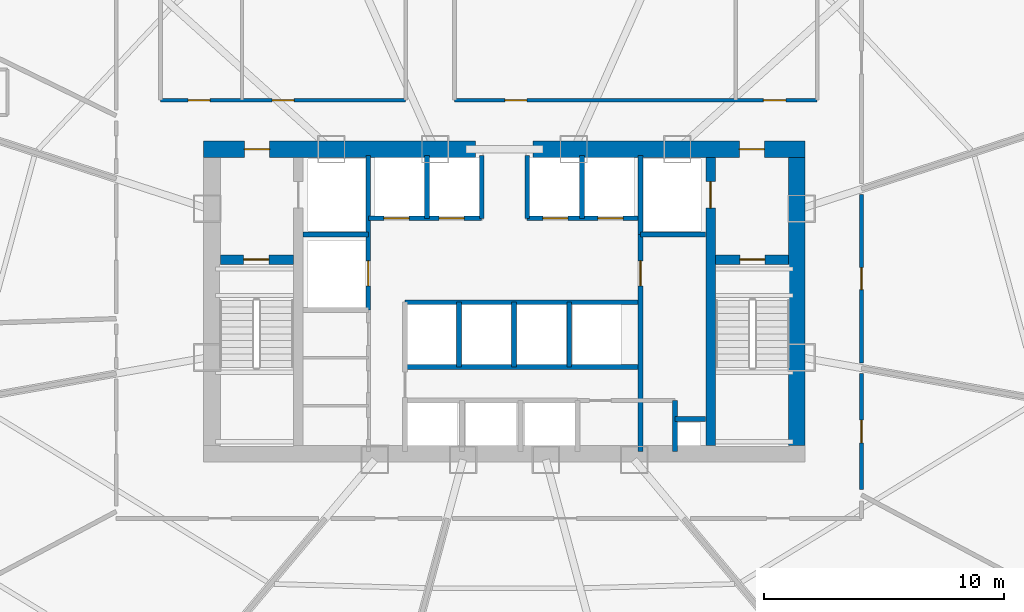
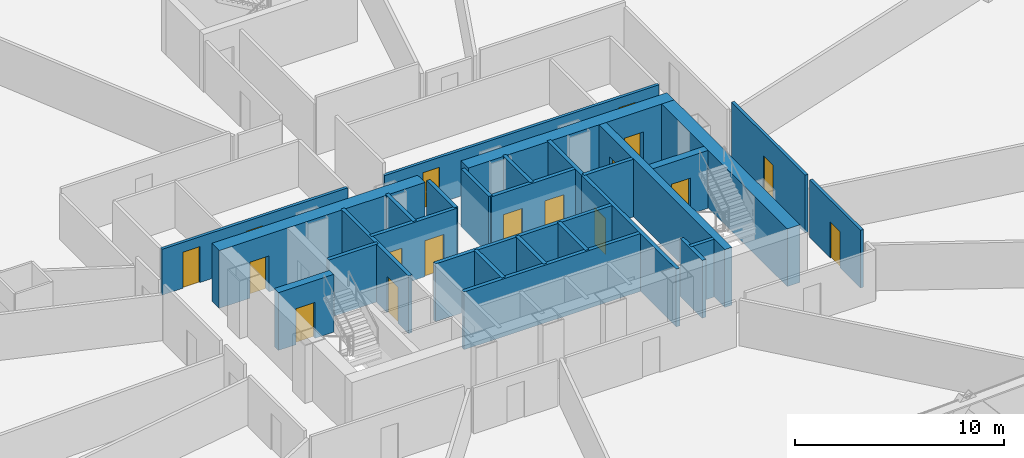
# One storey, part 30 of 37: 28 walls, 17 doors, 17 openings.
"""IFC4 building model written with IfcOpenShell, lengths in metres."""

from ifc_helpers import new_model, si_unit, direction, frame, frame_2d, origin, origin_with_axes, place, context, subcontext, project, spatial, rectangle, extrude, source, transform, mapped, material, layer, layer_set, type_object, element, fill, save


model = new_model("IFC4")

# Units and contexts
model_context = context("Model", 3, precision=1e-05, world=origin(), true_north=direction((0.0, 1.0)))
body_context = subcontext(model_context, "Body", "Model", "MODEL_VIEW")
ifc_project = project(units=[si_unit("LENGTHUNIT", "METRE"), si_unit("AREAUNIT", "SQUARE_METRE"), si_unit("VOLUMEUNIT", "CUBIC_METRE"), si_unit("PLANEANGLEUNIT", "RADIAN"), si_unit("MASSUNIT", "GRAM", prefix="KILO"), si_unit("THERMODYNAMICTEMPERATUREUNIT", "KELVIN"), si_unit("POWERUNIT", "WATT")], contexts=[model_context])

# Site, building, storey
site_placement = place(None, origin())
site = spatial("IfcSite", under=ifc_project, at=site_placement, CompositionType="ELEMENT")
building_placement = place(site_placement, origin())
building = spatial("IfcBuilding", under=site, at=building_placement, Name="Yunzhuo Pagoda Commons", CompositionType="ELEMENT")
storey_placement = place(building_placement, frame((0.0, 0.0, 52.179931640625)))
storey = spatial("IfcBuildingStorey", under=building, at=storey_placement, Name="L13", CompositionType="ELEMENT", Elevation=52.179931640625)

# Wall, opening, door
ifc_material_1 = material(Name="Concrete C60", Category="concrete")
ifc_layer_1 = layer(ifc_material_1, 0.699951171875)
ifc_layer_set_1 = layer_set([ifc_layer_1], Name="Concrete C60")
wall_type_1 = type_object("IfcWallType", Name="W-C01 Lower Core Shear Wall 700", PredefinedType="SHEAR", material=ifc_layer_set_1)
wall_1_placement = place(storey_placement, frame((35.449951171875, 40.199951171875, 0.0), z_axis=(0.0, 0.0, 1.0), x_axis=(1.0, 0.0, 0.0)))
wall_1 = element("IfcWall", 1, at=wall_1_placement, inside=storey, type_object=wall_type_1, Name="L13 core shear wall NW", PredefinedType="SHEAR", context=body_context, shape_type="SweptSolid", body=[
    extrude(rectangle(XDim=11.35009765625, YDim=0.699951171875, at=frame_2d((5.675048828125, 0.0))), origin(), (0.0, 0.0, 1.0), 3.3701171875),
])
opening_1_placement = place(wall_1_placement, frame((1.699951171875, 0.0, 0.0)))
opening_1 = element("IfcOpeningElement", 2, at=opening_1_placement, cuts=wall_1, Name="Opening D-02", PredefinedType="OPENING", context=body_context, shape_type="SweptSolid", body=[
    extrude(rectangle(XDim=1.050048828125, YDim=2.10009765625, at=frame_2d((0.52490234375, 1.050048828125))), frame((0.0, 0.35986328125, 0.0), z_axis=(0.0, -1.0, 0.0), x_axis=(1.0, 0.0, 0.0)), (0.0, 0.0, 1.0), 0.719970703125),
])
ifc_material_2 = material(Name="Galvanized fire-resisting metal leaf")
door_type_1 = type_object("IfcDoorType", Name="D-02 Firefighting Lobby & Refuge Fire Door 1050x2100", OperationType="NOTDEFINED", PredefinedType="DOOR", material=ifc_material_2)
shared_shape_1 = source(origin(), body_context, "Body", "SweptSolid", [
    extrude(rectangle(XDim=1.050048828125, YDim=2.10009765625, at=frame_2d((0.52490234375, 1.050048828125))), frame((0.0, 0.02490234375, 0.0), z_axis=(0.0, -1.0, 0.0), x_axis=(1.0, 0.0, 0.0)), (0.0, 0.0, 1.0), 0.050048828125),
])
door_1_placement = place(opening_1_placement, frame((1.050048828125, 0.0, 0.0), z_axis=(0.0, 0.0, 1.0), x_axis=(-1.0, 0.0, 0.0)))
door_1 = element("IfcDoor", 3, at=door_1_placement, inside=storey, type_object=door_type_1, Name="L13 Firefighting Lobby 1 fire door", OperationType="SINGLE_SWING_LEFT", OverallHeight=2.10009765625, OverallWidth=1.050048828125, PredefinedType="DOOR", context=body_context, shape_type="MappedRepresentation", body=[
    mapped(shared_shape_1, transform((0.0, 0.0, 0.0), scale=1.0)),
])
fill(opening_1, door_1)

wall_2_placement = place(storey_placement, frame((49.199951171875, 40.199951171875, 0.0), z_axis=(0.0, 0.0, 1.0), x_axis=(1.0, 0.0, 0.0)))
wall_2 = element("IfcWall", 4, at=wall_2_placement, inside=storey, type_object=wall_type_1, Name="L13 core shear wall NE", PredefinedType="SHEAR", context=body_context, shape_type="SweptSolid", body=[
    extrude(rectangle(XDim=11.35009765625, YDim=0.699951171875, at=frame_2d((5.675048828125, 0.0))), origin(), (0.0, 0.0, 1.0), 3.3701171875),
])
opening_2_placement = place(wall_2_placement, frame((8.60009765625, 0.0, 0.0)))
opening_2 = element("IfcOpeningElement", 5, at=opening_2_placement, cuts=wall_2, Name="Opening D-02", PredefinedType="OPENING", context=body_context, shape_type="SweptSolid", body=[
    extrude(rectangle(XDim=1.050048828125, YDim=2.10009765625, at=frame_2d((0.52490234375, 1.050048828125))), frame((0.0, 0.35986328125, 0.0), z_axis=(0.0, -1.0, 0.0), x_axis=(1.0, 0.0, 0.0)), (0.0, 0.0, 1.0), 0.719970703125),
])
door_2_placement = place(opening_2_placement, frame((1.050048828125, 0.0, 0.0), z_axis=(0.0, 0.0, 1.0), x_axis=(-1.0, 0.0, 0.0)))
door_2 = element("IfcDoor", 6, at=door_2_placement, inside=storey, type_object=door_type_1, Name="L13 Firefighting Lobby 2 fire door", OperationType="SINGLE_SWING_RIGHT", OverallHeight=2.10009765625, OverallWidth=1.050048828125, PredefinedType="DOOR", context=body_context, shape_type="MappedRepresentation", body=[
    mapped(shared_shape_1, transform((0.0, 0.0, 0.0), scale=1.0)),
])
fill(opening_2, door_2)

# Wall
wall_3_placement = place(storey_placement, frame((60.199951171875, 27.85009765625, 0.0), z_axis=(0.0, 0.0, 1.0), x_axis=(0.0, 1.0, 0.0)))
element("IfcWall", 7, at=wall_3_placement, inside=storey, type_object=wall_type_1, Name="L13 core shear wall E", PredefinedType="SHEAR", context=body_context, shape_type="SweptSolid", body=[
    extrude(rectangle(XDim=12.0, YDim=0.699951171875, at=frame_2d((6.0, 0.0))), origin(), (0.0, 0.0, 1.0), 3.3701171875),
])

# Wall, openings, doors
ifc_material_3 = material(Name="Gypsum plasterboard on acoustic stud")
ifc_layer_2 = layer(ifc_material_3, 0.159912109375)
ifc_layer_set_2 = layer_set([ifc_layer_2], Name="Gypsum plasterboard on acoustic stud")
wall_type_2 = type_object("IfcWallType", Name="W-COR1 Tower Rated Corridor Wall 160", PredefinedType="PARTITIONING", material=ifc_layer_set_2)
wall_4_placement = place(storey_placement, frame((33.64990234375, 42.25, 0.0), z_axis=(0.0, 0.0, 1.0), x_axis=(1.0, 0.0, 0.0)))
wall_4 = element("IfcWall", 8, at=wall_4_placement, inside=storey, type_object=wall_type_2, Name="L13 interior wall IW-L13-ISLWS", PredefinedType="PARTITIONING", context=body_context, shape_type="SweptSolid", body=[
    extrude(rectangle(XDim=10.22998046875, YDim=0.159912109375, at=frame_2d((5.114990234375, 0.0))), origin(), (0.0, 0.0, 1.0), 2.670166015625),
])
opening_3_placement = place(wall_4_placement, frame((1.14990234375, 0.0, 0.0)))
opening_3 = element("IfcOpeningElement", 9, at=opening_3_placement, cuts=wall_4, Name="Opening D-04", PredefinedType="OPENING", context=body_context, shape_type="SweptSolid", body=[
    extrude(rectangle(XDim=0.919921875, YDim=2.10009765625, at=frame_2d((0.4599609375, 1.050048828125))), frame((0.0, 0.08984375, 0.0), z_axis=(0.0, -1.0, 0.0), x_axis=(1.0, 0.0, 0.0)), (0.0, 0.0, 1.0), 0.179931640625),
])
opening_4_placement = place(wall_4_placement, frame((4.64990234375, 0.0, 0.0)))
opening_4 = element("IfcOpeningElement", 10, at=opening_4_placement, cuts=wall_4, Name="Opening D-04", PredefinedType="OPENING", context=body_context, shape_type="SweptSolid", body=[
    extrude(rectangle(XDim=0.919921875, YDim=2.10009765625, at=frame_2d((0.4599609375, 1.050048828125))), frame((0.0, 0.08984375, 0.0), z_axis=(0.0, -1.0, 0.0), x_axis=(1.0, 0.0, 0.0)), (0.0, 0.0, 1.0), 0.179931640625),
])
ifc_material_4 = material(Name="Powder-coated aluminium and timber acoustic leaf", Category="wood")
door_type_2 = type_object("IfcDoorType", Name="D-04 Bedroom & Study Interior Door 920x2100", OperationType="NOTDEFINED", PredefinedType="DOOR", material=ifc_material_4)
shared_shape_2 = source(origin(), body_context, "Body", "SweptSolid", [
    extrude(rectangle(XDim=0.919921875, YDim=2.10009765625, at=frame_2d((0.4599609375, 1.050048828125))), frame((0.0, 0.02490234375, 0.0), z_axis=(0.0, -1.0, 0.0), x_axis=(1.0, 0.0, 0.0)), (0.0, 0.0, 1.0), 0.050048828125),
])
door_3_placement = place(opening_3_placement, frame((0.919921875, 0.0, 0.0), z_axis=(0.0, 0.0, 1.0), x_axis=(-1.0, 0.0, 0.0)))
door_3 = element("IfcDoor", 11, at=door_3_placement, inside=storey, type_object=door_type_2, Name="L13 laundry door", OperationType="SINGLE_SWING_LEFT", OverallHeight=2.10009765625, OverallWidth=0.919921875, PredefinedType="DOOR", context=body_context, shape_type="MappedRepresentation", body=[
    mapped(shared_shape_2, transform((0.0, 0.0, 0.0), scale=1.0)),
])
fill(opening_3, door_3)
door_4_placement = place(opening_4_placement, frame((0.919921875, 0.0, 0.0), z_axis=(0.0, 0.0, 1.0), x_axis=(-1.0, 0.0, 0.0)))
door_4 = element("IfcDoor", 12, at=door_4_placement, inside=storey, type_object=door_type_2, Name="L13 study commons W door", OperationType="SINGLE_SWING_RIGHT", OverallHeight=2.10009765625, OverallWidth=0.919921875, PredefinedType="DOOR", context=body_context, shape_type="MappedRepresentation", body=[
    mapped(shared_shape_2, transform((0.0, 0.0, 0.0), scale=1.0)),
])
fill(opening_4, door_4)

wall_5_placement = place(storey_placement, frame((45.919921875, 42.25, 0.0), z_axis=(0.0, 0.0, 1.0), x_axis=(1.0, 0.0, 0.0)))
wall_5 = element("IfcWall", 13, at=wall_5_placement, inside=storey, type_object=wall_type_2, Name="L13 interior wall IW-L13-ISLES", PredefinedType="PARTITIONING", context=body_context, shape_type="SweptSolid", body=[
    extrude(rectangle(XDim=15.130126953125, YDim=0.159912109375, at=frame_2d((7.56494140625, 0.0))), origin(), (0.0, 0.0, 1.0), 2.670166015625),
])
opening_5_placement = place(wall_5_placement, frame((2.10009765625, 0.0, 0.0)))
opening_5 = element("IfcOpeningElement", 14, at=opening_5_placement, cuts=wall_5, Name="Opening D-04", PredefinedType="OPENING", context=body_context, shape_type="SweptSolid", body=[
    extrude(rectangle(XDim=0.919921875, YDim=2.10009765625, at=frame_2d((0.4599609375, 1.050048828125))), frame((0.0, 0.08984375, 0.0), z_axis=(0.0, -1.0, 0.0), x_axis=(1.0, 0.0, 0.0)), (0.0, 0.0, 1.0), 0.179931640625),
])
opening_6_placement = place(wall_5_placement, frame((12.8798828125, 0.0, 0.0)))
opening_6 = element("IfcOpeningElement", 15, at=opening_6_placement, cuts=wall_5, Name="Opening D-11", PredefinedType="OPENING", context=body_context, shape_type="SweptSolid", body=[
    extrude(rectangle(XDim=0.93994140625, YDim=2.10009765625, at=frame_2d((0.469970703125, 1.050048828125))), frame((0.0, 0.08984375, 0.0), z_axis=(0.0, -1.0, 0.0), x_axis=(1.0, 0.0, 0.0)), (0.0, 0.0, 1.0), 0.179931640625),
])
door_type_3 = type_object("IfcDoorType", Name="D-11 Accessible Washroom Fire Door 940x2100", OperationType="NOTDEFINED", PredefinedType="DOOR", material=ifc_material_2)
shared_shape_3 = source(origin(), body_context, "Body", "SweptSolid", [
    extrude(rectangle(XDim=0.93994140625, YDim=2.10009765625, at=frame_2d((0.469970703125, 1.050048828125))), frame((0.0, 0.02490234375, 0.0), z_axis=(0.0, -1.0, 0.0), x_axis=(1.0, 0.0, 0.0)), (0.0, 0.0, 1.0), 0.050048828125),
])
door_5_placement = place(opening_6_placement, frame((0.93994140625, 0.0, 0.0), z_axis=(0.0, 0.0, 1.0), x_axis=(-1.0, 0.0, 0.0)))
door_5 = element("IfcDoor", 16, at=door_5_placement, inside=storey, type_object=door_type_3, Name="L13 accessible WC door", OperationType="SINGLE_SWING_RIGHT", OverallHeight=2.10009765625, OverallWidth=0.93994140625, PredefinedType="DOOR", context=body_context, shape_type="MappedRepresentation", body=[
    mapped(shared_shape_3, transform((0.0, 0.0, 0.0), scale=1.0)),
])
fill(opening_6, door_5)
door_6_placement = place(opening_5_placement, frame((0.919921875, 0.0, 0.0), z_axis=(0.0, 0.0, 1.0), x_axis=(-1.0, 0.0, 0.0)))
door_6 = element("IfcDoor", 17, at=door_6_placement, inside=storey, type_object=door_type_2, Name="L13 reading commons door", OperationType="SINGLE_SWING_LEFT", OverallHeight=2.10009765625, OverallWidth=0.919921875, PredefinedType="DOOR", context=body_context, shape_type="MappedRepresentation", body=[
    mapped(shared_shape_2, transform((0.0, 0.0, 0.0), scale=1.0)),
])
fill(opening_5, door_6)

# Wall, opening, door
wall_6_placement = place(storey_placement, frame((62.89990234375, 38.321533203125, 0.0), z_axis=(0.0, 0.0, 1.0), x_axis=(0.0, -1.0, 0.0)))
wall_6 = element("IfcWall", 18, at=wall_6_placement, inside=storey, type_object=wall_type_2, Name="L13 interior wall IW-L13-CWL14", PredefinedType="PARTITIONING", context=body_context, shape_type="SweptSolid", body=[
    extrude(rectangle(XDim=7.029052734375, YDim=0.159912109375, at=frame_2d((3.5146484375, 0.0))), origin(), (0.0, 0.0, 1.0), 3.3701171875),
])
opening_7_placement = place(wall_6_placement, frame((3.054443359375, 0.0, 0.0)))
opening_7 = element("IfcOpeningElement", 19, at=opening_7_placement, cuts=wall_6, Name="Opening D-04", PredefinedType="OPENING", context=body_context, shape_type="SweptSolid", body=[
    extrude(rectangle(XDim=0.919921875, YDim=2.10009765625, at=frame_2d((0.4599609375, 1.050048828125))), frame((0.0, 0.08984375, 0.0), z_axis=(0.0, -1.0, 0.0), x_axis=(1.0, 0.0, 0.0)), (0.0, 0.0, 1.0), 0.179931640625),
])
door_7_placement = place(opening_7_placement, origin_with_axes())
door_7 = element("IfcDoor", 20, at=door_7_placement, inside=storey, type_object=door_type_2, Name="L13 seminar room 01 door", OperationType="SINGLE_SWING_LEFT", OverallHeight=2.10009765625, OverallWidth=0.919921875, PredefinedType="DOOR", context=body_context, shape_type="MappedRepresentation", body=[
    mapped(shared_shape_2, transform((0.0, 0.0, 0.0), scale=1.0)),
])
fill(opening_7, door_7)

wall_7_placement = place(storey_placement, frame((62.89990234375, 30.849365234375, 0.0), z_axis=(0.0, 0.0, 1.0), x_axis=(0.0, -1.0, 0.0)))
wall_7 = element("IfcWall", 21, at=wall_7_placement, inside=storey, type_object=wall_type_2, Name="L13 interior wall IW-L13-CWL15", PredefinedType="PARTITIONING", context=body_context, shape_type="SweptSolid", body=[
    extrude(rectangle(XDim=4.851806640625, YDim=0.159912109375, at=frame_2d((2.42578125, 0.0))), origin(), (0.0, 0.0, 1.0), 3.3701171875),
])
opening_8_placement = place(wall_7_placement, frame((1.94921875, 0.0, 0.0)))
opening_8 = element("IfcOpeningElement", 22, at=opening_8_placement, cuts=wall_7, Name="Opening D-06", PredefinedType="OPENING", context=body_context, shape_type="SweptSolid", body=[
    extrude(rectangle(XDim=0.949951171875, YDim=2.10009765625, at=frame_2d((0.47509765625, 1.050048828125))), frame((0.0, 0.08984375, 0.0), z_axis=(0.0, -1.0, 0.0), x_axis=(1.0, 0.0, 0.0)), (0.0, 0.0, 1.0), 0.179931640625),
])
door_type_4 = type_object("IfcDoorType", Name="D-06 Co-Living Suite Entrance Fire Door 950x2100", OperationType="NOTDEFINED", PredefinedType="DOOR", material=ifc_material_2)
shared_shape_4 = source(origin(), body_context, "Body", "SweptSolid", [
    extrude(rectangle(XDim=0.949951171875, YDim=2.10009765625, at=frame_2d((0.47509765625, 1.050048828125))), frame((0.0, 0.02490234375, 0.0), z_axis=(0.0, -1.0, 0.0), x_axis=(1.0, 0.0, 0.0)), (0.0, 0.0, 1.0), 0.050048828125),
])
door_8_placement = place(opening_8_placement, origin_with_axes())
door_8 = element("IfcDoor", 23, at=door_8_placement, inside=storey, type_object=door_type_4, Name="L13 unit 14 entrance door", OperationType="SINGLE_SWING_RIGHT", OverallHeight=2.10009765625, OverallWidth=0.949951171875, PredefinedType="DOOR", context=body_context, shape_type="MappedRepresentation", body=[
    mapped(shared_shape_4, transform((0.0, 0.0, 0.0), scale=1.0)),
])
fill(opening_8, door_8)

ifc_layer_3 = layer(ifc_material_1, 0.39990234375)
ifc_layer_set_3 = layer_set([ifc_layer_3], Name="Concrete C60")
wall_type_3 = type_object("IfcWallType", Name="W-S01 Internal Core Shear Web 400", PredefinedType="SHEAR", material=ifc_layer_set_3)
wall_8_placement = place(storey_placement, frame((56.60009765625, 27.85009765625, 0.0), z_axis=(0.0, 0.0, 1.0), x_axis=(0.0, 1.0, 0.0)))
wall_8 = element("IfcWall", 24, at=wall_8_placement, inside=storey, type_object=wall_type_3, Name="L13 core shear wall WEBE", PredefinedType="SHEAR", context=body_context, shape_type="SweptSolid", body=[
    extrude(rectangle(XDim=12.0, YDim=0.39990234375, at=frame_2d((6.0, 0.0))), origin(), (0.0, 0.0, 1.0), 3.3701171875),
])
opening_9_placement = place(wall_8_placement, frame((9.89990234375, 0.0, 0.0)))
opening_9 = element("IfcOpeningElement", 25, at=opening_9_placement, cuts=wall_8, Name="Opening LD-01", PredefinedType="OPENING", context=body_context, shape_type="SweptSolid", body=[
    extrude(rectangle(XDim=1.10009765625, YDim=2.10009765625, at=frame_2d((0.550048828125, 1.050048828125))), frame((0.0, 0.2099609375, 0.0), z_axis=(0.0, -1.0, 0.0), x_axis=(1.0, 0.0, 0.0)), (0.0, 0.0, 1.0), 0.419921875),
])
door_type_5 = type_object("IfcDoorType", Name="LD-01 Firefighting Lift Landing Door 1100x2100", OperationType="DOUBLE_DOOR_SLIDING", PredefinedType="DOOR", material=ifc_material_2)
shared_shape_5 = source(origin(), body_context, "Body", "SweptSolid", [
    extrude(rectangle(XDim=1.10009765625, YDim=2.10009765625, at=frame_2d((0.550048828125, 1.050048828125))), frame((0.0, 0.02490234375, 0.0), z_axis=(0.0, -1.0, 0.0), x_axis=(1.0, 0.0, 0.0)), (0.0, 0.0, 1.0), 0.050048828125),
])
door_9_placement = place(opening_9_placement, origin_with_axes())
door_9 = element("IfcDoor", 26, at=door_9_placement, inside=storey, type_object=door_type_5, Name="L13 Firefighting lift FL-2 landing door", OperationType="DOUBLE_DOOR_SLIDING", OverallHeight=2.10009765625, OverallWidth=1.10009765625, PredefinedType="DOOR", context=body_context, shape_type="MappedRepresentation", body=[
    mapped(shared_shape_5, transform((0.0, 0.0, 0.0), scale=1.0)),
])
fill(opening_9, door_9)

wall_9_placement = place(storey_placement, frame((36.14990234375, 35.60009765625, 0.0), z_axis=(0.0, 0.0, 1.0), x_axis=(1.0, 0.0, 0.0)))
wall_9 = element("IfcWall", 27, at=wall_9_placement, inside=storey, type_object=wall_type_3, Name="L13 core shear wall STW", PredefinedType="SHEAR", context=body_context, shape_type="SweptSolid", body=[
    extrude(rectangle(XDim=3.050048828125, YDim=0.39990234375, at=frame_2d((1.52490234375, 0.0))), origin(), (0.0, 0.0, 1.0), 3.3701171875),
])
opening_10_placement = place(wall_9_placement, frame((0.969970703125, 0.0, 0.0)))
opening_10 = element("IfcOpeningElement", 28, at=opening_10_placement, cuts=wall_9, Name="Opening D-01", PredefinedType="OPENING", context=body_context, shape_type="SweptSolid", body=[
    extrude(rectangle(XDim=1.050048828125, YDim=2.10009765625, at=frame_2d((0.52490234375, 1.050048828125))), frame((0.0, 0.2099609375, 0.0), z_axis=(0.0, -1.0, 0.0), x_axis=(1.0, 0.0, 0.0)), (0.0, 0.0, 1.0), 0.419921875),
])
door_type_6 = type_object("IfcDoorType", Name="D-01 Smokeproof Stair Fire Door 1050x2100", OperationType="NOTDEFINED", PredefinedType="DOOR", material=ifc_material_2)
door_10_placement = place(opening_10_placement, frame((1.050048828125, 0.0, 0.0), z_axis=(0.0, 0.0, 1.0), x_axis=(-1.0, 0.0, 0.0)))
door_10 = element("IfcDoor", 29, at=door_10_placement, inside=storey, type_object=door_type_6, Name="L13 Stair ST1 fire door", OperationType="SINGLE_SWING_LEFT", OverallHeight=2.10009765625, OverallWidth=1.050048828125, PredefinedType="DOOR", context=body_context, shape_type="MappedRepresentation", body=[
    mapped(shared_shape_1, transform((0.0, 0.0, 0.0), scale=1.0)),
])
fill(opening_10, door_10)

wall_10_placement = place(storey_placement, frame((56.800048828125, 35.60009765625, 0.0), z_axis=(0.0, 0.0, 1.0), x_axis=(1.0, 0.0, 0.0)))
wall_10 = element("IfcWall", 30, at=wall_10_placement, inside=storey, type_object=wall_type_3, Name="L13 core shear wall STE", PredefinedType="SHEAR", context=body_context, shape_type="SweptSolid", body=[
    extrude(rectangle(XDim=3.050048828125, YDim=0.39990234375, at=frame_2d((1.52490234375, 0.0))), origin(), (0.0, 0.0, 1.0), 3.3701171875),
])
opening_11_placement = place(wall_10_placement, frame((1.02001953125, 0.0, 0.0)))
opening_11 = element("IfcOpeningElement", 31, at=opening_11_placement, cuts=wall_10, Name="Opening D-01", PredefinedType="OPENING", context=body_context, shape_type="SweptSolid", body=[
    extrude(rectangle(XDim=1.050048828125, YDim=2.10009765625, at=frame_2d((0.52490234375, 1.050048828125))), frame((0.0, 0.2099609375, 0.0), z_axis=(0.0, -1.0, 0.0), x_axis=(1.0, 0.0, 0.0)), (0.0, 0.0, 1.0), 0.419921875),
])
door_11_placement = place(opening_11_placement, frame((1.050048828125, 0.0, 0.0), z_axis=(0.0, 0.0, 1.0), x_axis=(-1.0, 0.0, 0.0)))
door_11 = element("IfcDoor", 32, at=door_11_placement, inside=storey, type_object=door_type_6, Name="L13 Stair ST2 fire door", OperationType="SINGLE_SWING_RIGHT", OverallHeight=2.10009765625, OverallWidth=1.050048828125, PredefinedType="DOOR", context=body_context, shape_type="MappedRepresentation", body=[
    mapped(shared_shape_1, transform((0.0, 0.0, 0.0), scale=1.0)),
])
fill(opening_11, door_11)

ifc_material_5 = material(Name="Concrete C40", Category="concrete")
ifc_layer_4 = layer(ifc_material_5, 0.199951171875)
ifc_layer_set_4 = layer_set([ifc_layer_4], Name="Concrete C40")
wall_type_4 = type_object("IfcWallType", Name="W-SHF Shaft & Stair Enclosure Wall 200", PredefinedType="SOLIDWALL", material=ifc_layer_set_4)
wall_11_placement = place(storey_placement, frame((42.320068359375, 33.5, 0.0), z_axis=(0.0, 0.0, 1.0), x_axis=(0.0, 1.0, 0.0)))
wall_11 = element("IfcWall", 33, at=wall_11_placement, inside=storey, type_object=wall_type_4, Name="L13 interior wall IW-L13-FL1E", PredefinedType="SOLIDWALL", context=body_context, shape_type="SweptSolid", body=[
    extrude(rectangle(XDim=6.449951171875, YDim=0.199951171875, at=frame_2d((3.22509765625, 0.0))), origin(), (0.0, 0.0, 1.0), 3.3701171875),
])
opening_12_placement = place(wall_11_placement, frame((1.0, 0.0, 0.0)))
opening_12 = element("IfcOpeningElement", 34, at=opening_12_placement, cuts=wall_11, Name="Opening LD-02", PredefinedType="OPENING", context=body_context, shape_type="SweptSolid", body=[
    extrude(rectangle(XDim=1.050048828125, YDim=2.10009765625, at=frame_2d((0.52490234375, 1.050048828125))), frame((0.0, 0.10986328125, 0.0), z_axis=(0.0, -1.0, 0.0), x_axis=(1.0, 0.0, 0.0)), (0.0, 0.0, 1.0), 0.219970703125),
])
door_type_7 = type_object("IfcDoorType", Name="LD-02 Passenger Lift Landing Door 1050x2100", OperationType="DOUBLE_DOOR_SLIDING", PredefinedType="DOOR", material=ifc_material_2)
door_12_placement = place(opening_12_placement, origin_with_axes())
door_12 = element("IfcDoor", 35, at=door_12_placement, inside=storey, type_object=door_type_7, Name="L13 Service lift SL-1 landing door", OperationType="DOUBLE_DOOR_SLIDING", OverallHeight=2.10009765625, OverallWidth=1.050048828125, PredefinedType="DOOR", context=body_context, shape_type="MappedRepresentation", body=[
    mapped(shared_shape_1, transform((0.0, 0.0, 0.0), scale=1.0)),
])
fill(opening_12, door_12)

# Walls
wall_12_placement = place(storey_placement, frame((39.60009765625, 36.64990234375, 0.0), z_axis=(0.0, 0.0, 1.0), x_axis=(1.0, 0.0, 0.0)))
element("IfcWall", 36, at=wall_12_placement, inside=storey, type_object=wall_type_4, Name="L13 interior wall IW-L13-FL1S", PredefinedType="SOLIDWALL", context=body_context, shape_type="SweptSolid", body=[
    extrude(rectangle(XDim=2.719970703125, YDim=0.199951171875, at=frame_2d((1.35986328125, 0.0))), origin(), (0.0, 0.0, 1.0), 3.3701171875),
])
wall_13_placement = place(storey_placement, frame((53.679931640625, 36.64990234375, 0.0), z_axis=(0.0, 0.0, 1.0), x_axis=(0.0, 1.0, 0.0)))
element("IfcWall", 37, at=wall_13_placement, inside=storey, type_object=wall_type_4, Name="L13 interior wall IW-L13-FL2W", PredefinedType="SOLIDWALL", context=body_context, shape_type="SweptSolid", body=[
    extrude(rectangle(XDim=3.300048828125, YDim=0.199951171875, at=frame_2d((1.64990234375, 0.0))), origin(), (0.0, 0.0, 1.0), 3.3701171875),
])
wall_14_placement = place(storey_placement, frame((53.679931640625, 36.64990234375, 0.0), z_axis=(0.0, 0.0, 1.0), x_axis=(1.0, 0.0, 0.0)))
element("IfcWall", 38, at=wall_14_placement, inside=storey, type_object=wall_type_4, Name="L13 interior wall IW-L13-FL2S", PredefinedType="SOLIDWALL", context=body_context, shape_type="SweptSolid", body=[
    extrude(rectangle(XDim=2.719970703125, YDim=0.199951171875, at=frame_2d((1.35986328125, 0.0))), origin(), (0.0, 0.0, 1.0), 3.3701171875),
])

# Wall, openings, doors
wall_15_placement = place(storey_placement, frame((42.320068359375, 37.320068359375, 0.0), z_axis=(0.0, 0.0, 1.0), x_axis=(1.0, 0.0, 0.0)))
wall_15 = element("IfcWall", 39, at=wall_15_placement, inside=storey, type_object=wall_type_4, Name="L13 interior wall IW-L13-LBNW", PredefinedType="SOLIDWALL", context=body_context, shape_type="SweptSolid", body=[
    extrude(rectangle(XDim=4.72998046875, YDim=0.199951171875, at=frame_2d((2.364990234375, 0.0))), origin(), (0.0, 0.0, 1.0), 3.3701171875),
])
opening_13_placement = place(wall_15_placement, frame((0.64990234375, 0.0, 0.0)))
opening_13 = element("IfcOpeningElement", 40, at=opening_13_placement, cuts=wall_15, Name="Opening LD-02", PredefinedType="OPENING", context=body_context, shape_type="SweptSolid", body=[
    extrude(rectangle(XDim=1.050048828125, YDim=2.10009765625, at=frame_2d((0.52490234375, 1.050048828125))), frame((0.0, 0.10986328125, 0.0), z_axis=(0.0, -1.0, 0.0), x_axis=(1.0, 0.0, 0.0)), (0.0, 0.0, 1.0), 0.219970703125),
])
opening_14_placement = place(wall_15_placement, frame((2.949951171875, 0.0, 0.0)))
opening_14 = element("IfcOpeningElement", 41, at=opening_14_placement, cuts=wall_15, Name="Opening LD-02", PredefinedType="OPENING", context=body_context, shape_type="SweptSolid", body=[
    extrude(rectangle(XDim=1.050048828125, YDim=2.10009765625, at=frame_2d((0.52490234375, 1.050048828125))), frame((0.0, 0.10986328125, 0.0), z_axis=(0.0, -1.0, 0.0), x_axis=(1.0, 0.0, 0.0)), (0.0, 0.0, 1.0), 0.219970703125),
])
door_13_placement = place(opening_13_placement, frame((1.050048828125, 0.0, 0.0), z_axis=(0.0, 0.0, 1.0), x_axis=(-1.0, 0.0, 0.0)))
door_13 = element("IfcDoor", 42, at=door_13_placement, inside=storey, type_object=door_type_7, Name="L13 Passenger lift PL-L1 landing door", OperationType="DOUBLE_DOOR_SLIDING", OverallHeight=2.10009765625, OverallWidth=1.050048828125, PredefinedType="DOOR", context=body_context, shape_type="MappedRepresentation", body=[
    mapped(shared_shape_1, transform((0.0, 0.0, 0.0), scale=1.0)),
])
fill(opening_13, door_13)
door_14_placement = place(opening_14_placement, frame((1.050048828125, 0.0, 0.0), z_axis=(0.0, 0.0, 1.0), x_axis=(-1.0, 0.0, 0.0)))
door_14 = element("IfcDoor", 43, at=door_14_placement, inside=storey, type_object=door_type_7, Name="L13 Passenger lift PL-L2 landing door", OperationType="DOUBLE_DOOR_SLIDING", OverallHeight=2.10009765625, OverallWidth=1.050048828125, PredefinedType="DOOR", context=body_context, shape_type="MappedRepresentation", body=[
    mapped(shared_shape_1, transform((0.0, 0.0, 0.0), scale=1.0)),
])
fill(opening_14, door_14)

wall_16_placement = place(storey_placement, frame((48.949951171875, 37.320068359375, 0.0), z_axis=(0.0, 0.0, 1.0), x_axis=(1.0, 0.0, 0.0)))
wall_16 = element("IfcWall", 44, at=wall_16_placement, inside=storey, type_object=wall_type_4, Name="L13 interior wall IW-L13-LBNE", PredefinedType="SOLIDWALL", context=body_context, shape_type="SweptSolid", body=[
    extrude(rectangle(XDim=4.72998046875, YDim=0.199951171875, at=frame_2d((2.364990234375, 0.0))), origin(), (0.0, 0.0, 1.0), 3.3701171875),
])
opening_15_placement = place(wall_16_placement, frame((0.64990234375, 0.0, 0.0)))
opening_15 = element("IfcOpeningElement", 45, at=opening_15_placement, cuts=wall_16, Name="Opening LD-02", PredefinedType="OPENING", context=body_context, shape_type="SweptSolid", body=[
    extrude(rectangle(XDim=1.050048828125, YDim=2.10009765625, at=frame_2d((0.52490234375, 1.050048828125))), frame((0.0, 0.10986328125, 0.0), z_axis=(0.0, -1.0, 0.0), x_axis=(1.0, 0.0, 0.0)), (0.0, 0.0, 1.0), 0.219970703125),
])
opening_16_placement = place(wall_16_placement, frame((2.949951171875, 0.0, 0.0)))
opening_16 = element("IfcOpeningElement", 46, at=opening_16_placement, cuts=wall_16, Name="Opening LD-02", PredefinedType="OPENING", context=body_context, shape_type="SweptSolid", body=[
    extrude(rectangle(XDim=1.050048828125, YDim=2.10009765625, at=frame_2d((0.52490234375, 1.050048828125))), frame((0.0, 0.10986328125, 0.0), z_axis=(0.0, -1.0, 0.0), x_axis=(1.0, 0.0, 0.0)), (0.0, 0.0, 1.0), 0.219970703125),
])
door_15_placement = place(opening_15_placement, frame((1.050048828125, 0.0, 0.0), z_axis=(0.0, 0.0, 1.0), x_axis=(-1.0, 0.0, 0.0)))
door_15 = element("IfcDoor", 47, at=door_15_placement, inside=storey, type_object=door_type_7, Name="L13 Passenger lift PL-L3 landing door", OperationType="DOUBLE_DOOR_SLIDING", OverallHeight=2.10009765625, OverallWidth=1.050048828125, PredefinedType="DOOR", context=body_context, shape_type="MappedRepresentation", body=[
    mapped(shared_shape_1, transform((0.0, 0.0, 0.0), scale=1.0)),
])
fill(opening_15, door_15)
door_16_placement = place(opening_16_placement, frame((1.050048828125, 0.0, 0.0), z_axis=(0.0, 0.0, 1.0), x_axis=(-1.0, 0.0, 0.0)))
door_16 = element("IfcDoor", 48, at=door_16_placement, inside=storey, type_object=door_type_7, Name="L13 Passenger lift PL-L4 landing door", OperationType="DOUBLE_DOOR_SLIDING", OverallHeight=2.10009765625, OverallWidth=1.050048828125, PredefinedType="DOOR", context=body_context, shape_type="MappedRepresentation", body=[
    mapped(shared_shape_1, transform((0.0, 0.0, 0.0), scale=1.0)),
])
fill(opening_16, door_16)

# Walls
for number, where, z_axis, x_axis, name in (
    (49, (47.050048828125, 37.320068359375, 0.0), (0.0, 0.0, 1.0), (0.0, 1.0, 0.0), "L13 interior wall IW-L13-THRW"),
    (50, (48.949951171875, 37.320068359375, 0.0), (0.0, 0.0, 1.0), (0.0, 1.0, 0.0), "L13 interior wall IW-L13-THRE"),
    (51, (44.77001953125, 37.320068359375, 0.0), (0.0, 0.0, 1.0), (0.0, 1.0, 0.0), "L13 interior wall IW-L13-PLL12"),
    (52, (51.22998046875, 37.320068359375, 0.0), (0.0, 0.0, 1.0), (0.0, 1.0, 0.0), "L13 interior wall IW-L13-PLL34"),
):
    element("IfcWall", number, at=place(storey_placement, frame(where, z_axis=z_axis, x_axis=x_axis)), inside=storey, type_object=wall_type_4, Name=name, PredefinedType="SOLIDWALL", context=body_context, shape_type="SweptSolid", body=[
        extrude(rectangle(XDim=2.6298828125, YDim=0.199951171875, at=frame_2d((1.31494140625, 0.0))), origin(), (0.0, 0.0, 1.0), 3.3701171875),
    ])
wall_17_placement = place(storey_placement, frame((43.85009765625, 33.820068359375, 0.0), z_axis=(0.0, 0.0, 1.0), x_axis=(1.0, 0.0, 0.0)))
element("IfcWall", 53, at=wall_17_placement, inside=storey, type_object=wall_type_4, Name="L13 interior wall IW-L13-MLBS", PredefinedType="SOLIDWALL", context=body_context, shape_type="SweptSolid", body=[
    extrude(rectangle(XDim=9.829833984375, YDim=0.199951171875, at=frame_2d((4.9150390625, 0.0))), origin(), (0.0, 0.0, 1.0), 3.3701171875),
])

# Wall, opening, door
wall_18_placement = place(storey_placement, frame((53.679931640625, 27.60009765625, 0.0), z_axis=(0.0, 0.0, 1.0), x_axis=(0.0, 1.0, 0.0)))
wall_18 = element("IfcWall", 54, at=wall_18_placement, inside=storey, type_object=wall_type_4, Name="L13 interior wall IW-L13-PLME", PredefinedType="SOLIDWALL", context=body_context, shape_type="SweptSolid", body=[
    extrude(rectangle(XDim=9.0498046875, YDim=0.199951171875, at=frame_2d((4.52490234375, 0.0))), origin(), (0.0, 0.0, 1.0), 3.3701171875),
])
opening_17_placement = place(wall_18_placement, frame((6.89990234375, 0.0, 0.0)))
opening_17 = element("IfcOpeningElement", 55, at=opening_17_placement, cuts=wall_18, Name="Opening D-02", PredefinedType="OPENING", context=body_context, shape_type="SweptSolid", body=[
    extrude(rectangle(XDim=1.050048828125, YDim=2.10009765625, at=frame_2d((0.52490234375, 1.050048828125))), frame((0.0, 0.10986328125, 0.0), z_axis=(0.0, -1.0, 0.0), x_axis=(1.0, 0.0, 0.0)), (0.0, 0.0, 1.0), 0.219970703125),
])
door_17_placement = place(opening_17_placement, origin_with_axes())
door_17 = element("IfcDoor", 56, at=door_17_placement, inside=storey, type_object=door_type_1, Name="L13 High-bank lift hall door", OperationType="SINGLE_SWING_RIGHT", OverallHeight=2.10009765625, OverallWidth=1.050048828125, PredefinedType="DOOR", context=body_context, shape_type="MappedRepresentation", body=[
    mapped(shared_shape_1, transform((0.0, 0.0, 0.0), scale=1.0)),
])
fill(opening_17, door_17)

# Walls
for number, where, z_axis, x_axis, name in (
    (57, (46.10009765625, 31.1201171875, 0.0), (0.0, 0.0, 1.0), (0.0, 1.0, 0.0), "L13 interior wall IW-L13-PLMD1"),
    (58, (48.39990234375, 31.1201171875, 0.0), (0.0, 0.0, 1.0), (0.0, 1.0, 0.0), "L13 interior wall IW-L13-PLMD2"),
    (59, (50.699951171875, 31.1201171875, 0.0), (0.0, 0.0, 1.0), (0.0, 1.0, 0.0), "L13 interior wall IW-L13-PLMD3"),
):
    element("IfcWall", number, at=place(storey_placement, frame(where, z_axis=z_axis, x_axis=x_axis)), inside=storey, type_object=wall_type_4, Name=name, PredefinedType="SOLIDWALL", context=body_context, shape_type="SweptSolid", body=[
        extrude(rectangle(XDim=2.699951171875, YDim=0.199951171875, at=frame_2d((1.35009765625, 0.0))), origin(), (0.0, 0.0, 1.0), 3.3701171875),
    ])
wall_19_placement = place(storey_placement, frame((43.85009765625, 31.1201171875, 0.0), z_axis=(0.0, 0.0, 1.0), x_axis=(1.0, 0.0, 0.0)))
element("IfcWall", 60, at=wall_19_placement, inside=storey, type_object=wall_type_4, Name="L13 interior wall IW-L13-PLMS2", PredefinedType="SOLIDWALL", context=body_context, shape_type="SweptSolid", body=[
    extrude(rectangle(XDim=9.829833984375, YDim=0.199951171875, at=frame_2d((4.9150390625, 0.0))), origin(), (0.0, 0.0, 1.0), 3.3701171875),
])
wall_20_placement = place(storey_placement, frame((55.1201171875, 27.60009765625, 0.0), z_axis=(0.0, 0.0, 1.0), x_axis=(0.0, 1.0, 0.0)))
element("IfcWall", 61, at=wall_20_placement, inside=storey, type_object=wall_type_4, Name="L13 interior wall IW-L13-RSHFW", PredefinedType="SOLIDWALL", context=body_context, shape_type="SweptSolid", body=[
    extrude(rectangle(XDim=2.119873046875, YDim=0.199951171875, at=frame_2d((1.06005859375, 0.0))), origin(), (0.0, 0.0, 1.0), 3.3701171875),
])
wall_21_placement = place(storey_placement, frame((55.1201171875, 28.949951171875, 0.0), z_axis=(0.0, 0.0, 1.0), x_axis=(1.0, 0.0, 0.0)))
element("IfcWall", 62, at=wall_21_placement, inside=storey, type_object=wall_type_4, Name="L13 interior wall IW-L13-RSHFN", PredefinedType="SOLIDWALL", context=body_context, shape_type="SweptSolid", body=[
    extrude(rectangle(XDim=1.27978515625, YDim=0.199951171875, at=frame_2d((0.639892578125, 0.0))), origin(), (0.0, 0.0, 1.0), 3.3701171875),
])

save(model, "model.ifc")
